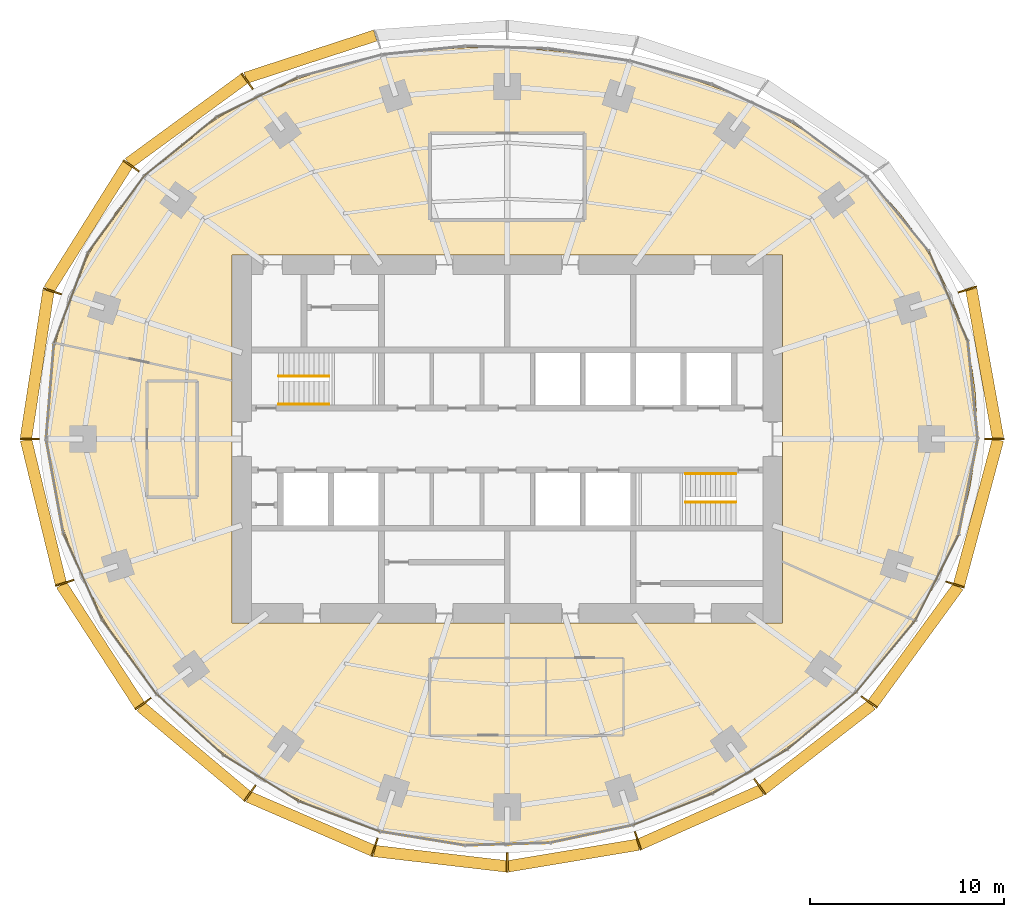
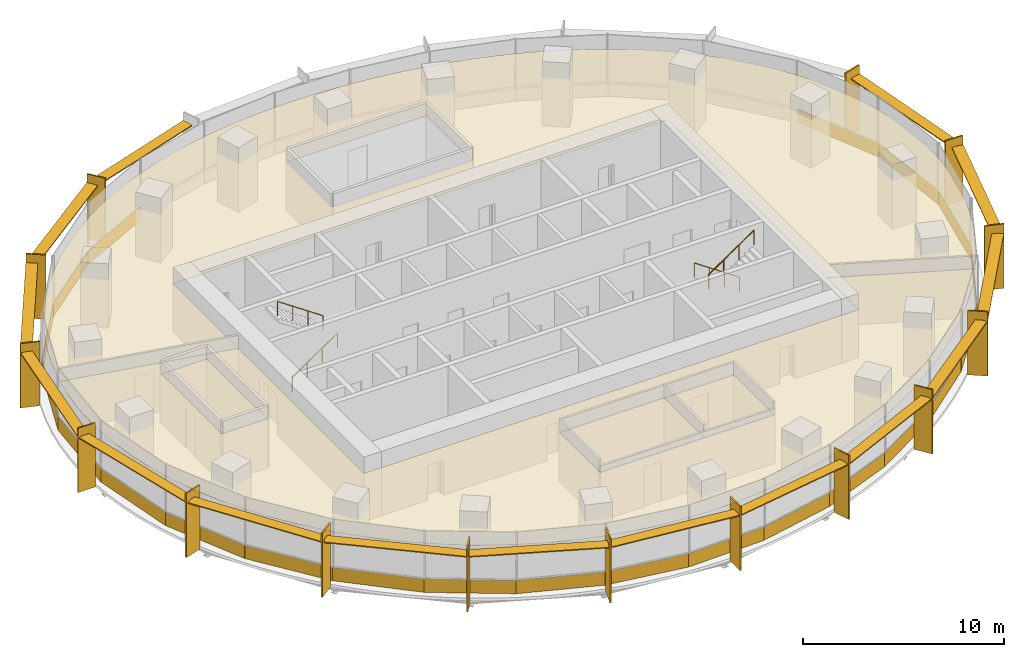
# One storey, part 13 of 14: 30 shading devices, 27 coverings, 4 railings.
"""IFC4 building model written with IfcOpenShell, lengths in metres."""

from ifc_helpers import new_model, si_unit, direction, frame, origin, origin_2d, place, context, subcontext, project, spatial, polyline, rectangle, circle, outline, extrude, material, layer, layer_set, type_object, element, save


model = new_model("IFC4")

# Units and contexts
model_context = context("Model", 3, precision=1e-05, world=origin(), true_north=direction((0.0, 1.0)))
body_context = subcontext(model_context, "Body", "Model", "MODEL_VIEW")
ifc_project = project(units=[si_unit("LENGTHUNIT", "METRE"), si_unit("AREAUNIT", "SQUARE_METRE"), si_unit("VOLUMEUNIT", "CUBIC_METRE"), si_unit("PLANEANGLEUNIT", "RADIAN"), si_unit("MASSUNIT", "GRAM", prefix="KILO")], contexts=[model_context])

# Site, building, storey
site_placement = place(None, origin())
site = spatial("IfcSite", under=ifc_project, at=site_placement, CompositionType="ELEMENT")
building_placement = place(site_placement, origin())
building = spatial("IfcBuilding", under=site, at=building_placement, Name="Marramba Exchange Tower", CompositionType="ELEMENT")
storey_placement = place(building_placement, frame((0.0, 0.0, 215.0)))
storey = spatial("IfcBuildingStorey", under=building, at=storey_placement, Name="L52", CompositionType="ELEMENT", Elevation=215.0)

# Shading devices
ifc_material_1 = material(Name="Aluminium blade, timber-look bronze finish", Category="wood")
ifc_layer_1 = layer(ifc_material_1, 0.080078125)
ifc_layer_set_1 = layer_set([ifc_layer_1], Name="Floor-edge blade 1000x80")
shading_device_type_1 = type_object("IfcShadingDeviceType", Name="Floor-edge blade 1000x80", PredefinedType="USERDEFINED", material=ifc_layer_set_1)
for number, where, z_axis, x_axis, name in (
    (1, (25.14404296875, 0.0, -0.159912109375), (0.0, 0.0, 1.0), (1.0, 0.0, 0.0), "Floor-edge blade FB1 L52 TC01"),
    (2, (23.757080078125, 7.718994140625, -0.159912109375), (0.0, 0.0, 1.0), (0.951056516295, 0.309016994375, 0.0), "Floor-edge blade FB1 L52 TC02"),
    (3, (-13.422607421875, 18.474609375, -0.159912109375), (0.0, 0.0, 1.0), (-0.587785252292, 0.809016994375, 0.0), "Floor-edge blade FB1 L52 TC08"),
    (4, (-19.4140625, 14.105224609375, -0.159912109375), (0.0, 0.0, 1.0), (-0.809016994375, 0.587785252292, 0.0), "Floor-edge blade FB1 L52 TC09"),
    (5, (-23.488525390625, 7.6318359375, -0.159912109375), (0.0, 0.0, 1.0), (-0.951056516295, 0.309016994375, 0.0), "Floor-edge blade FB1 L52 TC10"),
    (6, (-24.656005859375, 0.0, -0.159912109375), (0.0, 0.0, 1.0), (-1.0, 0.0, 0.0), "Floor-edge blade FB1 L52 TC11"),
    (7, (-22.848876953125, -7.424072265625, -0.159912109375), (0.0, 0.0, 1.0), (-0.951056516295, -0.309016994375, 0.0), "Floor-edge blade FB1 L52 TC12"),
    (8, (-18.7998046875, -13.658935546875, -0.159912109375), (0.0, 0.0, 1.0), (-0.809016994375, -0.587785252292, 0.0), "Floor-edge blade FB1 L52 TC13"),
    (9, (-13.2841796875, -18.2841796875, -0.159912109375), (0.0, 0.0, 1.0), (-0.587785252292, -0.809016994375, 0.0), "Floor-edge blade FB1 L52 TC14"),
    (10, (-6.845703125, -21.069091796875, -0.159912109375), (0.0, 0.0, 1.0), (-0.309016994375, -0.951056516295, 0.0), "Floor-edge blade FB1 L52 TC15"),
    (11, (0.0, -21.86376953125, -0.159912109375), (0.0, 0.0, 1.0), (0.0, -1.0, 0.0), "Floor-edge blade FB1 L52 TC16"),
    (12, (6.739501953125, -20.741943359375, -0.159912109375), (0.0, 0.0, 1.0), (0.309016994375, -0.951056516295, 0.0), "Floor-edge blade FB1 L52 TC17"),
    (13, (13.0380859375, -17.9453125, -0.159912109375), (0.0, 0.0, 1.0), (0.587785252292, -0.809016994375, 0.0), "Floor-edge blade FB1 L52 TC18"),
    (14, (18.6845703125, -13.5751953125, -0.159912109375), (0.0, 0.0, 1.0), (0.809016994375, -0.587785252292, 0.0), "Floor-edge blade FB1 L52 TC19"),
    (15, (23.1171875, -7.51123046875, -0.159912109375), (0.0, 0.0, 1.0), (0.951056516295, -0.309016994375, 0.0), "Floor-edge blade FB1 L52 TC20"),
):
    element("IfcShadingDevice", number, at=place(storey_placement, frame(where, z_axis=z_axis, x_axis=x_axis)), inside=storey, type_object=shading_device_type_1, Name=name, ObjectType="FIN", PredefinedType="USERDEFINED", context=body_context, shape_type="SweptSolid", body=[
        extrude(rectangle(XDim=1.0, YDim=0.080078125, at=origin_2d()), origin(), (0.0, 0.0, 1.0), 3.89990234375),
    ])
ifc_material_2 = material(Name="Aluminium sunshade, bronze anodised", Category="aluminium")
ifc_layer_2 = layer(ifc_material_2, 0.06005859375)
ifc_layer_set_2 = layer_set([ifc_layer_2], Name="SUNSHADE blade 600x60")
shading_device_type_2 = type_object("IfcShadingDeviceType", Name="SUNSHADE blade 600x60", PredefinedType="USERDEFINED", material=ifc_layer_set_2)
shading_device_1_placement = place(storey_placement, frame((24.6455078125, 3.890380859375, 3.159912109375), z_axis=(0.0, 0.0, 1.0), x_axis=(-0.176690623809, 0.984266439262, 0.0)))
element("IfcShadingDevice", 16, at=shading_device_1_placement, inside=storey, type_object=shading_device_type_2, Name="Sunshade SS1 L52 bay 01", ObjectType="SUNSHADE", PredefinedType="USERDEFINED", context=body_context, shape_type="SweptSolid", body=[
    extrude(rectangle(XDim=7.8251953125, YDim=0.60009765625, at=origin_2d()), origin(), (0.0, 0.0, 1.0), 0.06005859375),
])
shading_device_2_placement = place(storey_placement, frame((-10.156982421875, 19.741943359375, 3.159912109375), z_axis=(0.0, 0.0, 1.0), x_axis=(-0.950537602937, -0.310609506297, 0.0)))
element("IfcShadingDevice", 17, at=shading_device_2_placement, inside=storey, type_object=shading_device_type_2, Name="Sunshade SS1 L52 bay 07", ObjectType="SUNSHADE", PredefinedType="USERDEFINED", context=body_context, shape_type="SweptSolid", body=[
    extrude(rectangle(XDim=7.03857421875, YDim=0.60009765625, at=origin_2d()), origin(), (0.0, 0.0, 1.0), 0.06005859375),
])
shading_device_3_placement = place(storey_placement, frame((-16.55810546875, 16.4296875, 3.159912109375), z_axis=(0.0, 0.0, 1.0), x_axis=(-0.80719390073, -0.59028637679, 0.0)))
element("IfcShadingDevice", 18, at=shading_device_3_placement, inside=storey, type_object=shading_device_type_2, Name="Sunshade SS1 L52 bay 08", ObjectType="SUNSHADE", PredefinedType="USERDEFINED", context=body_context, shape_type="SweptSolid", body=[
    extrude(rectangle(XDim=7.3974609375, YDim=0.60009765625, at=origin_2d()), origin(), (0.0, 0.0, 1.0), 0.06005859375),
])
shading_device_4_placement = place(storey_placement, frame((-21.62744140625, 10.958251953125, 3.159912109375), z_axis=(0.0, 0.0, 1.0), x_axis=(-0.532082259983, -0.846692664792, 0.0)))
element("IfcShadingDevice", 19, at=shading_device_4_placement, inside=storey, type_object=shading_device_type_2, Name="Sunshade SS1 L52 bay 09", ObjectType="SUNSHADE", PredefinedType="USERDEFINED", context=body_context, shape_type="SweptSolid", body=[
    extrude(rectangle(XDim=7.631103515625, YDim=0.60009765625, at=origin_2d()), origin(), (0.0, 0.0, 1.0), 0.06005859375),
])
shading_device_5_placement = place(storey_placement, frame((-24.267333984375, 3.846923828125, 3.159912109375), z_axis=(0.0, 0.0, 1.0), x_axis=(-0.151240669327, -0.988496970123, 0.0)))
element("IfcShadingDevice", 20, at=shading_device_5_placement, inside=storey, type_object=shading_device_type_2, Name="Sunshade SS1 L52 bay 10", ObjectType="SUNSHADE", PredefinedType="USERDEFINED", context=body_context, shape_type="SweptSolid", body=[
    extrude(rectangle(XDim=7.703369140625, YDim=0.60009765625, at=origin_2d()), origin(), (0.0, 0.0, 1.0), 0.06005859375),
])
shading_device_6_placement = place(storey_placement, frame((-23.947509765625, -3.742919921875, 3.159912109375), z_axis=(0.0, 0.0, 1.0), x_axis=(0.235861488454, -0.971786683519, 0.0)))
element("IfcShadingDevice", 21, at=shading_device_6_placement, inside=storey, type_object=shading_device_type_2, Name="Sunshade SS1 L52 bay 11", ObjectType="SUNSHADE", PredefinedType="USERDEFINED", context=body_context, shape_type="SweptSolid", body=[
    extrude(rectangle(XDim=7.623291015625, YDim=0.60009765625, at=origin_2d()), origin(), (0.0, 0.0, 1.0), 0.06005859375),
])
shading_device_7_placement = place(storey_placement, frame((-21.000244140625, -10.631103515625, 3.159912109375), z_axis=(0.0, 0.0, 1.0), x_axis=(0.543921771105, -0.839135928749, 0.0)))
element("IfcShadingDevice", 22, at=shading_device_7_placement, inside=storey, type_object=shading_device_type_2, Name="Sunshade SS1 L52 bay 12", ObjectType="SUNSHADE", PredefinedType="USERDEFINED", context=body_context, shape_type="SweptSolid", body=[
    extrude(rectangle(XDim=7.41650390625, YDim=0.60009765625, at=origin_2d()), origin(), (0.0, 0.0, 1.0), 0.06005859375),
])
shading_device_8_placement = place(storey_placement, frame((-16.181640625, -16.111083984375, 3.159912109375), z_axis=(0.0, 0.0, 1.0), x_axis=(0.765761970568, -0.643124097225, 0.0)))
element("IfcShadingDevice", 23, at=shading_device_8_placement, inside=storey, type_object=shading_device_type_2, Name="Sunshade SS1 L52 bay 13", ObjectType="SUNSHADE", PredefinedType="USERDEFINED", context=body_context, shape_type="SweptSolid", body=[
    extrude(rectangle(XDim=7.1806640625, YDim=0.60009765625, at=origin_2d()), origin(), (0.0, 0.0, 1.0), 0.06005859375),
])
shading_device_9_placement = place(storey_placement, frame((-10.154541015625, -19.8525390625, 3.159912109375), z_axis=(0.0, 0.0, 1.0), x_axis=(0.917589256742, -0.397529817639, 0.0)))
element("IfcShadingDevice", 24, at=shading_device_9_placement, inside=storey, type_object=shading_device_type_2, Name="Sunshade SS1 L52 bay 14", ObjectType="SUNSHADE", PredefinedType="USERDEFINED", context=body_context, shape_type="SweptSolid", body=[
    extrude(rectangle(XDim=6.997314453125, YDim=0.60009765625, at=origin_2d()), origin(), (0.0, 0.0, 1.0), 0.06005859375),
])
shading_device_10_placement = place(storey_placement, frame((-3.453857421875, -21.66162109375, 3.159912109375), z_axis=(0.0, 0.0, 1.0), x_axis=(0.993288257497, -0.1156651958, 0.0)))
element("IfcShadingDevice", 25, at=shading_device_10_placement, inside=storey, type_object=shading_device_type_2, Name="Sunshade SS1 L52 bay 15", ObjectType="SUNSHADE", PredefinedType="USERDEFINED", context=body_context, shape_type="SweptSolid", body=[
    extrude(rectangle(XDim=6.874267578125, YDim=0.60009765625, at=origin_2d()), origin(), (0.0, 0.0, 1.0), 0.06005859375),
])
shading_device_11_placement = place(storey_placement, frame((3.400634765625, -21.498046875, 3.159912109375), z_axis=(0.0, 0.0, 1.0), x_axis=(0.986439622954, 0.164124557168, 0.0)))
element("IfcShadingDevice", 26, at=shading_device_11_placement, inside=storey, type_object=shading_device_type_2, Name="Sunshade SS1 L52 bay 16", ObjectType="SUNSHADE", PredefinedType="USERDEFINED", context=body_context, shape_type="SweptSolid", body=[
    extrude(rectangle(XDim=6.814697265625, YDim=0.60009765625, at=origin_2d()), origin(), (0.0, 0.0, 1.0), 0.06005859375),
])
shading_device_12_placement = place(storey_placement, frame((9.978515625, -19.519775390625, 3.159912109375), z_axis=(0.0, 0.0, 1.0), x_axis=(0.913771678576, 0.406228161792, 0.0)))
element("IfcShadingDevice", 27, at=shading_device_12_placement, inside=storey, type_object=shading_device_type_2, Name="Sunshade SS1 L52 bay 17", ObjectType="SUNSHADE", PredefinedType="USERDEFINED", context=body_context, shape_type="SweptSolid", body=[
    extrude(rectangle(XDim=6.8740234375, YDim=0.60009765625, at=origin_2d()), origin(), (0.0, 0.0, 1.0), 0.06005859375),
])
shading_device_13_placement = place(storey_placement, frame((16.0009765625, -15.89990234375, 3.159912109375), z_axis=(0.0, 0.0, 1.0), x_axis=(0.790133082515, 0.612935324414, 0.0)))
element("IfcShadingDevice", 28, at=shading_device_13_placement, inside=storey, type_object=shading_device_type_2, Name="Sunshade SS1 L52 bay 18", ObjectType="SUNSHADE", PredefinedType="USERDEFINED", context=body_context, shape_type="SweptSolid", body=[
    extrude(rectangle(XDim=7.122314453125, YDim=0.60009765625, at=origin_2d()), origin(), (0.0, 0.0, 1.0), 0.06005859375),
])
shading_device_14_placement = place(storey_placement, frame((21.076904296875, -10.6328125, 3.159912109375), z_axis=(0.0, 0.0, 1.0), x_axis=(0.589071758439, 0.808080728275, 0.0)))
element("IfcShadingDevice", 29, at=shading_device_14_placement, inside=storey, type_object=shading_device_type_2, Name="Sunshade SS1 L52 bay 19", ObjectType="SUNSHADE", PredefinedType="USERDEFINED", context=body_context, shape_type="SweptSolid", body=[
    extrude(rectangle(XDim=7.4931640625, YDim=0.60009765625, at=origin_2d()), origin(), (0.0, 0.0, 1.0), 0.06005859375),
])
shading_device_15_placement = place(storey_placement, frame((24.32568359375, -3.78662109375, 3.159912109375), z_axis=(0.0, 0.0, 1.0), x_axis=(0.259692365654, 0.965691397508, 0.0)))
element("IfcShadingDevice", 30, at=shading_device_15_placement, inside=storey, type_object=shading_device_type_2, Name="Sunshade SS1 L52 bay 20", ObjectType="SUNSHADE", PredefinedType="USERDEFINED", context=body_context, shape_type="SweptSolid", body=[
    extrude(rectangle(XDim=7.76220703125, YDim=0.60009765625, at=origin_2d()), origin(), (0.0, 0.0, 1.0), 0.06005859375),
])

# Coverings
ifc_material_3 = material(Name="Aluminium spandrel panel, bronze anodised, insulated", Category="aluminium")
ifc_layer_3 = layer(ifc_material_3, 0.050048828125)
ifc_layer_set_3 = layer_set([ifc_layer_3], Name="Spandrel panel 800")
covering_type_1 = type_object("IfcCoveringType", Name="Spandrel panel 800", PredefinedType="CLADDING", material=ifc_layer_set_3)
covering_1_placement = place(storey_placement, frame((24.036376953125, 2.527099609375, 0.0), z_axis=(0.0, 0.0, 1.0), x_axis=(-0.101422478545, 0.994843445395, 0.0)))
element("IfcCovering", 31, at=covering_1_placement, inside=storey, type_object=covering_type_1, Name="Spandrel panel SP1 L52 F01", PredefinedType="CLADDING", context=body_context, shape_type="SweptSolid", body=[
    extrude(rectangle(XDim=5.08056640625, YDim=0.050048828125, at=origin_2d()), origin(), (0.0, 0.0, 1.0), 0.800048828125),
])
covering_2_placement = place(storey_placement, frame((22.77734375, 7.374755859375, 0.0), z_axis=(0.0, 0.0, 1.0), x_axis=(-0.396193349205, 0.918167103552, 0.0)))
element("IfcCovering", 32, at=covering_2_placement, inside=storey, type_object=covering_type_1, Name="Spandrel panel SP1 L52 F02", PredefinedType="CLADDING", context=body_context, shape_type="SweptSolid", body=[
    extrude(rectangle(XDim=5.0546875, YDim=0.050048828125, at=origin_2d()), origin(), (0.0, 0.0, 1.0), 0.800048828125),
])
covering_3_placement = place(storey_placement, frame((-12.88818359375, 17.666748046875, 0.0), z_axis=(0.0, 0.0, 1.0), x_axis=(-0.898500520314, -0.438972453572, 0.0)))
element("IfcCovering", 33, at=covering_3_placement, inside=storey, type_object=covering_type_1, Name="Spandrel panel SP1 L52 F11", PredefinedType="CLADDING", context=body_context, shape_type="SweptSolid", body=[
    extrude(rectangle(XDim=4.667236328125, YDim=0.050048828125, at=origin_2d()), origin(), (0.0, 0.0, 1.0), 0.800048828125),
])
covering_4_placement = place(storey_placement, frame((-16.855712890625, 15.1240234375, 0.0), z_axis=(0.0, 0.0, 1.0), x_axis=(-0.776432169123, -0.630200830491, 0.0)))
element("IfcCovering", 34, at=covering_4_placement, inside=storey, type_object=covering_type_1, Name="Spandrel panel SP1 L52 F12", PredefinedType="CLADDING", context=body_context, shape_type="SweptSolid", body=[
    extrude(rectangle(XDim=4.81884765625, YDim=0.050048828125, at=origin_2d()), origin(), (0.0, 0.0, 1.0), 0.800048828125),
])
covering_5_placement = place(storey_placement, frame((-20.184326171875, 11.62060546875, 0.0), z_axis=(0.0, 0.0, 1.0), x_axis=(-0.591962919465, -0.805965198987, 0.0)))
element("IfcCovering", 35, at=covering_5_placement, inside=storey, type_object=covering_type_1, Name="Spandrel panel SP1 L52 F13", PredefinedType="CLADDING", context=body_context, shape_type="SweptSolid", body=[
    extrude(rectangle(XDim=4.925537109375, YDim=0.050048828125, at=origin_2d()), origin(), (0.0, 0.0, 1.0), 0.800048828125),
])
covering_6_placement = place(storey_placement, frame((-22.518798828125, 7.30419921875, 0.0), z_axis=(0.0, 0.0, 1.0), x_axis=(-0.351951514464, -0.936018232443, 0.0)))
element("IfcCovering", 36, at=covering_6_placement, inside=storey, type_object=covering_type_1, Name="Spandrel panel SP1 L52 F14", PredefinedType="CLADDING", context=body_context, shape_type="SweptSolid", body=[
    extrude(rectangle(XDim=4.981689453125, YDim=0.050048828125, at=origin_2d()), origin(), (0.0, 0.0, 1.0), 0.800048828125),
])
covering_7_placement = place(storey_placement, frame((-23.600830078125, 2.486328125, 0.0), z_axis=(0.0, 0.0, 1.0), x_axis=(-0.082280881776, -0.996609179415, 0.0)))
element("IfcCovering", 37, at=covering_7_placement, inside=storey, type_object=covering_type_1, Name="Spandrel panel SP1 L52 F15", PredefinedType="CLADDING", context=body_context, shape_type="SweptSolid", body=[
    extrude(rectangle(XDim=4.98974609375, YDim=0.050048828125, at=origin_2d()), origin(), (0.0, 0.0, 1.0), 0.800048828125),
])
covering_8_placement = place(storey_placement, frame((-23.359619140625, -2.43505859375, 0.0), z_axis=(0.0, 0.0, 1.0), x_axis=(0.180327442841, -0.983606635479, 0.0)))
element("IfcCovering", 38, at=covering_8_placement, inside=storey, type_object=covering_type_1, Name="Spandrel panel SP1 L52 F16", PredefinedType="CLADDING", context=body_context, shape_type="SweptSolid", body=[
    extrude(rectangle(XDim=4.951416015625, YDim=0.050048828125, at=origin_2d()), origin(), (0.0, 0.0, 1.0), 0.800048828125),
])
covering_9_placement = place(storey_placement, frame((-21.920654296875, -7.093994140625, 0.0), z_axis=(0.0, 0.0, 1.0), x_axis=(0.407557582153, -0.913179509861, 0.0)))
element("IfcCovering", 39, at=covering_9_placement, inside=storey, type_object=covering_type_1, Name="Spandrel panel SP1 L52 F17", PredefinedType="CLADDING", context=body_context, shape_type="SweptSolid", body=[
    extrude(rectangle(XDim=4.870361328125, YDim=0.050048828125, at=origin_2d()), origin(), (0.0, 0.0, 1.0), 0.800048828125),
])
covering_10_placement = place(storey_placement, frame((-19.520263671875, -11.238525390625, 0.0), z_axis=(0.0, 0.0, 1.0), x_axis=(0.591223097085, -0.80650805915, 0.0)))
element("IfcCovering", 40, at=covering_10_placement, inside=storey, type_object=covering_type_1, Name="Spandrel panel SP1 L52 F18", PredefinedType="CLADDING", context=body_context, shape_type="SweptSolid", body=[
    extrude(rectangle(XDim=4.762939453125, YDim=0.050048828125, at=origin_2d()), origin(), (0.0, 0.0, 1.0), 0.800048828125),
])
covering_11_placement = place(storey_placement, frame((-16.396240234375, -14.73193359375, 0.0), z_axis=(0.0, 0.0, 1.0), x_axis=(0.737203259599, -0.67567103981, 0.0)))
element("IfcCovering", 41, at=covering_11_placement, inside=storey, type_object=covering_type_1, Name="Spandrel panel SP1 L52 F19", PredefinedType="CLADDING", context=body_context, shape_type="SweptSolid", body=[
    extrude(rectangle(XDim=4.65478515625, YDim=0.050048828125, at=origin_2d()), origin(), (0.0, 0.0, 1.0), 0.800048828125),
])
covering_12_placement = place(storey_placement, frame((-12.73583984375, -17.497802734375, 0.0), z_axis=(0.0, 0.0, 1.0), x_axis=(0.852301010692, -0.52305161043, 0.0)))
element("IfcCovering", 42, at=covering_12_placement, inside=storey, type_object=covering_type_1, Name="Spandrel panel SP1 L52 F20", PredefinedType="CLADDING", context=body_context, shape_type="SweptSolid", body=[
    extrude(rectangle(XDim=4.563232421875, YDim=0.050048828125, at=origin_2d()), origin(), (0.0, 0.0, 1.0), 0.800048828125),
])
covering_13_placement = place(storey_placement, frame((-8.687255859375, -19.47607421875, 0.0), z_axis=(0.0, 0.0, 1.0), x_axis=(0.936951581946, -0.349459200892, 0.0)))
element("IfcCovering", 43, at=covering_13_placement, inside=storey, type_object=covering_type_1, Name="Spandrel panel SP1 L52 F21", PredefinedType="CLADDING", context=body_context, shape_type="SweptSolid", body=[
    extrude(rectangle(XDim=4.491455078125, YDim=0.050048828125, at=origin_2d()), origin(), (0.0, 0.0, 1.0), 0.800048828125),
])
covering_14_placement = place(storey_placement, frame((-4.393798828125, -20.6181640625, 0.0), z_axis=(0.0, 0.0, 1.0), x_axis=(0.98693062179, -0.161145734582, 0.0)))
element("IfcCovering", 44, at=covering_14_placement, inside=storey, type_object=covering_type_1, Name="Spandrel panel SP1 L52 F22", PredefinedType="CLADDING", context=body_context, shape_type="SweptSolid", body=[
    extrude(rectangle(XDim=4.4365234375, YDim=0.050048828125, at=origin_2d()), origin(), (0.0, 0.0, 1.0), 0.800048828125),
])
covering_15_placement = place(storey_placement, frame((-0.0068359375, -20.9111328125, 0.0), z_axis=(0.0, 0.0, 1.0), x_axis=(0.99956791932, 0.02939344597, 0.0)))
element("IfcCovering", 45, at=covering_15_placement, inside=storey, type_object=covering_type_1, Name="Spandrel panel SP1 L52 F23", PredefinedType="CLADDING", context=body_context, shape_type="SweptSolid", body=[
    extrude(rectangle(XDim=4.3974609375, YDim=0.050048828125, at=origin_2d()), origin(), (0.0, 0.0, 1.0), 0.800048828125),
])
covering_16_placement = place(storey_placement, frame((4.333984375, -20.389892578125, 0.0), z_axis=(0.0, 0.0, 1.0), x_axis=(0.978058068956, 0.208332459664, 0.0)))
element("IfcCovering", 46, at=covering_16_placement, inside=storey, type_object=covering_type_1, Name="Spandrel panel SP1 L52 F24", PredefinedType="CLADDING", context=body_context, shape_type="SweptSolid", body=[
    extrude(rectangle(XDim=4.3818359375, YDim=0.050048828125, at=origin_2d()), origin(), (0.0, 0.0, 1.0), 0.800048828125),
])
covering_17_placement = place(storey_placement, frame((8.525390625, -19.124267578125, 0.0), z_axis=(0.0, 0.0, 1.0), x_axis=(0.93007301151, 0.367374731386, 0.0)))
element("IfcCovering", 47, at=covering_17_placement, inside=storey, type_object=covering_type_1, Name="Spandrel panel SP1 L52 F25", PredefinedType="CLADDING", context=body_context, shape_type="SweptSolid", body=[
    extrude(rectangle(XDim=4.405517578125, YDim=0.050048828125, at=origin_2d()), origin(), (0.0, 0.0, 1.0), 0.800048828125),
])
covering_18_placement = place(storey_placement, frame((12.50634765625, -17.175537109375, 0.0), z_axis=(0.0, 0.0, 1.0), x_axis=(0.861350829898, 0.508010578466, 0.0)))
element("IfcCovering", 48, at=covering_18_placement, inside=storey, type_object=covering_type_1, Name="Spandrel panel SP1 L52 F26", PredefinedType="CLADDING", context=body_context, shape_type="SweptSolid", body=[
    extrude(rectangle(XDim=4.486572265625, YDim=0.050048828125, at=origin_2d()), origin(), (0.0, 0.0, 1.0), 0.800048828125),
])
covering_19_placement = place(storey_placement, frame((16.2177734375, -14.5556640625, 0.0), z_axis=(0.0, 0.0, 1.0), x_axis=(0.768736803132, 0.639565264465, 0.0)))
element("IfcCovering", 49, at=covering_19_placement, inside=storey, type_object=covering_type_1, Name="Spandrel panel SP1 L52 F27", PredefinedType="CLADDING", context=body_context, shape_type="SweptSolid", body=[
    extrude(rectangle(XDim=4.628662109375, YDim=0.050048828125, at=origin_2d()), origin(), (0.0, 0.0, 1.0), 0.800048828125),
])
covering_20_placement = place(storey_placement, frame((19.529541015625, -11.2265625, 0.0), z_axis=(0.0, 0.0, 1.0), x_axis=(0.638149992226, 0.769912064733, 0.0)))
element("IfcCovering", 50, at=covering_20_placement, inside=storey, type_object=covering_type_1, Name="Spandrel panel SP1 L52 F28", PredefinedType="CLADDING", context=body_context, shape_type="SweptSolid", body=[
    extrude(rectangle(XDim=4.80322265625, YDim=0.050048828125, at=origin_2d()), origin(), (0.0, 0.0, 1.0), 0.800048828125),
])
covering_21_placement = place(storey_placement, frame((22.17919921875, -7.16455078125, 0.0), z_axis=(0.0, 0.0, 1.0), x_axis=(0.450673091404, 0.892689063832, 0.0)))
element("IfcCovering", 51, at=covering_21_placement, inside=storey, type_object=covering_type_1, Name="Spandrel panel SP1 L52 F29", PredefinedType="CLADDING", context=body_context, shape_type="SweptSolid", body=[
    extrude(rectangle(XDim=4.957763671875, YDim=0.050048828125, at=origin_2d()), origin(), (0.0, 0.0, 1.0), 0.800048828125),
])
covering_22_placement = place(storey_placement, frame((23.795166015625, -2.475830078125, 0.0), z_axis=(0.0, 0.0, 1.0), x_axis=(0.197495401381, 0.980303813332, 0.0)))
element("IfcCovering", 52, at=covering_22_placement, inside=storey, type_object=covering_type_1, Name="Spandrel panel SP1 L52 F30", PredefinedType="CLADDING", context=body_context, shape_type="SweptSolid", body=[
    extrude(rectangle(XDim=5.05126953125, YDim=0.050048828125, at=origin_2d()), origin(), (0.0, 0.0, 1.0), 0.800048828125),
])

# Railings
ifc_material_4 = material(Name="Stainless steel handrail", Category="steel")
railing_type = type_object("IfcRailingType", Name="Stair handrail 900", PredefinedType="HANDRAIL", material=ifc_material_4)
railing_1_placement = place(storey_placement, frame((-11.800048828125, 1.800048828125, 0.17724609375)))
element("IfcRailing", 53, at=railing_1_placement, inside=storey, type_object=railing_type, Name="Handrail HR1 ST1 L52 flight 1", PredefinedType="HANDRAIL", context=body_context, shape_type="SweptSolid", body=[
    extrude(circle(Radius=0.02392578125, at=origin_2d()), frame((0.0, 0.0, 0.8759765625), z_axis=(0.826240473404, 0.0, 0.563317565952), x_axis=(0.0, 1.0, 0.0)), (0.0, 0.0, 1.0), 3.14697265625),
    extrude(circle(Radius=0.02099609375, at=origin_2d()), origin(), (0.0, 0.0, 1.0), 0.851806640625),
    extrude(circle(Radius=0.02099609375, at=origin_2d()), frame((0.86669921875, 0.0, 0.5908203125)), (0.0, 0.0, 1.0), 0.851806640625),
    extrude(circle(Radius=0.02099609375, at=origin_2d()), frame((1.7333984375, 0.0, 1.181884765625)), (0.0, 0.0, 1.0), 0.851806640625),
    extrude(circle(Radius=0.02099609375, at=origin_2d()), frame((2.60009765625, 0.0, 1.772705078125)), (0.0, 0.0, 1.0), 0.851806640625),
])
for number, where, name in (
    (54, (-9.199951171875, 3.25, 2.127197265625), "Handrail HR1 ST1 L52 flight 2"),
    (55, (11.800048828125, -1.800048828125, 0.17724609375), "Handrail HR1 ST2 L52 flight 1"),
):
    element("IfcRailing", number, at=place(storey_placement, frame(where)), inside=storey, type_object=railing_type, Name=name, PredefinedType="HANDRAIL", context=body_context, shape_type="SweptSolid", body=[
        extrude(circle(Radius=0.02392578125, at=origin_2d()), frame((0.0, 0.0, 0.8759765625), z_axis=(-0.826240473404, 0.0, 0.563317565952), x_axis=(0.0, -1.0, 0.0)), (0.0, 0.0, 1.0), 3.14697265625),
        extrude(circle(Radius=0.02099609375, at=origin_2d()), origin(), (0.0, 0.0, 1.0), 0.851806640625),
        extrude(circle(Radius=0.02099609375, at=origin_2d()), frame((-0.86669921875, 0.0, 0.5908203125)), (0.0, 0.0, 1.0), 0.851806640625),
        extrude(circle(Radius=0.02099609375, at=origin_2d()), frame((-1.7333984375, 0.0, 1.181884765625)), (0.0, 0.0, 1.0), 0.851806640625),
        extrude(circle(Radius=0.02099609375, at=origin_2d()), frame((-2.60009765625, 0.0, 1.772705078125)), (0.0, 0.0, 1.0), 0.851806640625),
    ])
railing_2_placement = place(storey_placement, frame((9.199951171875, -3.25, 2.127197265625)))
element("IfcRailing", 56, at=railing_2_placement, inside=storey, type_object=railing_type, Name="Handrail HR1 ST2 L52 flight 2", PredefinedType="HANDRAIL", context=body_context, shape_type="SweptSolid", body=[
    extrude(circle(Radius=0.02392578125, at=origin_2d()), frame((0.0, 0.0, 0.8759765625), z_axis=(0.826240473404, 0.0, 0.563317565952), x_axis=(0.0, 1.0, 0.0)), (0.0, 0.0, 1.0), 3.14697265625),
    extrude(circle(Radius=0.02099609375, at=origin_2d()), origin(), (0.0, 0.0, 1.0), 0.851806640625),
    extrude(circle(Radius=0.02099609375, at=origin_2d()), frame((0.86669921875, 0.0, 0.5908203125)), (0.0, 0.0, 1.0), 0.851806640625),
    extrude(circle(Radius=0.02099609375, at=origin_2d()), frame((1.7333984375, 0.0, 1.181884765625)), (0.0, 0.0, 1.0), 0.851806640625),
    extrude(circle(Radius=0.02099609375, at=origin_2d()), frame((2.60009765625, 0.0, 1.772705078125)), (0.0, 0.0, 1.0), 0.851806640625),
])

# Coverings
ifc_material_5 = material(Name="Mineral fibre ceiling tiles", Category="gypsum")
ifc_layer_4 = layer(ifc_material_5, 0.02001953125)
ifc_layer_set_4 = layer_set([ifc_layer_4], Name="Suspended ceiling 20")
covering_type_2 = type_object("IfcCoveringType", Name="Suspended ceiling 20", PredefinedType="CEILING", material=ifc_layer_set_4)
covering_23_placement = place(storey_placement, frame((0.0, 0.0, 2.89990234375)))
element("IfcCovering", 57, at=covering_23_placement, inside=storey, type_object=covering_type_2, Name="Ceiling CL1 L52 Research Analyst Office", PredefinedType="CEILING", context=body_context, shape_type="SweptSolid", body=[
    extrude(outline(polyline([(-14.199951171875, 9.5), (-14.199951171875, 3.018310546875), (-23.317138671875, 4.956298828125), (-23.002197265625, 6.163330078125), (-22.604248046875, 7.344482421875), (-22.125244140625, 8.4931640625), (-21.569091796875, 9.603271484375), (-20.939697265625, 10.669189453125), (-20.24169921875, 11.6865234375), (-19.48046875, 12.650634765625), (-18.66162109375, 13.55859375), (-17.79150390625, 14.4072265625), (-16.87548828125, 15.19482421875), (-15.920166015625, 15.920166015625), (-14.931396484375, 16.5830078125), (-13.914794921875, 17.183349609375), (-12.8759765625, 17.722412109375), (-11.820068359375, 18.201171875), (-10.75146484375, 18.621826171875), (-9.67431640625, 18.98681640625), (-8.59228515625, 19.29833984375), (-7.50830078125, 19.559326171875), (-6.424560546875, 19.77294921875), (-5.34326171875, 19.941650390625), (-4.265625, 20.068603515625), (-3.1923828125, 20.15625), (-2.123779296875, 20.20703125), (-1.059814453125, 20.22314453125), (0.0, 20.206298828125), (1.056396484375, 20.15771484375), (2.1103515625, 20.077880859375), (3.16259765625, 19.96728515625), (4.214111328125, 19.82568359375), (5.265869140625, 19.65234375), (6.318359375, 19.445556640625), (7.371826171875, 19.2041015625), (8.426025390625, 18.92529296875), (9.480712890625, 18.60693359375), (10.5341796875, 18.245849609375), (11.584716796875, 17.839111328125), (12.6298828125, 17.383544921875), (13.666259765625, 16.87646484375), (14.689453125, 16.314453125), (15.695068359375, 15.695068359375), (16.67724609375, 15.016357421875), (17.6298828125, 14.276611328125), (18.54638671875, 13.474853515625), (19.41943359375, 12.611083984375), (20.24169921875, 11.6865234375), (21.00537109375, 10.70263671875), (21.702880859375, 9.662841796875), (22.32763671875, 8.57080078125), (22.87255859375, 7.431640625), (23.331787109375, 6.251708984375), (23.700439453125, 5.03759765625), (23.974853515625, 3.797119140625), (24.15234375, 2.53857421875), (24.23193359375, 1.27001953125), (24.214111328125, 0.0), (24.10009765625, -1.262939453125), (23.89306640625, -2.51123046875), (23.597412109375, -3.737548828125), (23.218017578125, -4.935302734375), (22.760986328125, -6.098876953125), (22.23291015625, -7.223876953125), (21.639892578125, -8.306884765625), (20.989013671875, -9.344970703125), (14.199951171875, -6.322265625), (14.199951171875, 9.5), (-14.199951171875, 9.5)]), holes=[polyline([(4.0, 15.800048828125), (-4.0, 15.800048828125), (-4.0, 11.300048828125), (4.0, 11.300048828125), (4.0, 15.800048828125)])]), origin(), (0.0, 0.0, 1.0), 0.02001953125),
])
covering_24_placement = place(storey_placement, frame((0.0, 0.0, 2.89990234375)))
element("IfcCovering", 58, at=covering_24_placement, inside=storey, type_object=covering_type_2, Name="Ceiling CL1 L52 Portfolio Office", PredefinedType="CEILING", context=body_context, shape_type="SweptSolid", body=[
    extrude(outline(polyline([(19.539794921875, -11.28125), (18.753173828125, -12.178466796875), (17.93212890625, -13.028564453125), (17.08154296875, -13.832275390625), (16.204833984375, -14.5908203125), (15.30517578125, -15.30517578125), (14.38525390625, -15.976318359375), (13.44677734375, -16.60546875), (12.491455078125, -17.193115234375), (11.520263671875, -17.73974609375), (10.5341796875, -18.245849609375), (9.53369140625, -18.711181640625), (8.51953125, -19.13525390625), (7.4921875, -19.517578125), (6.4521484375, -19.857421875), (5.400146484375, -20.153564453125), (4.337158203125, -20.404541015625), (3.26416015625, -20.609619140625), (2.1826171875, -20.766845703125), (1.093994140625, -20.875244140625), (0.0, -20.93359375), (-1.097412109375, -20.94091796875), (-2.1962890625, -20.89599609375), (-3.294189453125, -20.79833984375), (-4.388916015625, -20.6474609375), (-5.477783203125, -20.44287109375), (-6.558349609375, -20.184814453125), (-7.62841796875, -19.873046875), (-8.685546875, -19.50830078125), (-9.727294921875, -19.091064453125), (-10.75146484375, -18.621826171875), (-11.755615234375, -18.101806640625), (-12.737548828125, -17.53173828125), (-13.6953125, -16.912353515625), (-14.626953125, -16.2451171875), (-15.5302734375, -15.5302734375), (-16.403076171875, -14.769287109375), (-17.242919921875, -13.962890625), (-18.04736328125, -13.1123046875), (-18.81396484375, -12.218017578125), (-19.539794921875, -11.28125), (-20.22119140625, -10.30322265625), (-20.85498046875, -9.285400390625), (-21.4375, -8.22900390625), (-21.96435546875, -7.13671875), (-22.431640625, -6.010498046875), (-22.8349609375, -4.853759765625), (-23.169921875, -3.669677734375), (-23.432373046875, -2.462890625), (-23.618896484375, -1.23779296875), (-23.72607421875, 0.0), (-23.7509765625, 1.24462890625), (-23.691650390625, 2.489990234375), (-23.547119140625, 3.7294921875), (-23.317138671875, 4.956298828125), (-14.199951171875, 3.018310546875), (-14.199951171875, -9.5), (14.199951171875, -9.5), (14.199951171875, -6.322265625), (20.989013671875, -9.344970703125), (20.286865234375, -10.336669921875), (19.539794921875, -11.28125)]), holes=[polyline([(2.0, -15.300048828125), (6.0, -15.300048828125), (6.0, -11.300048828125), (2.0, -11.300048828125), (-4.0, -11.300048828125), (-4.0, -15.300048828125), (2.0, -15.300048828125)]), polyline([(-18.60009765625, -3.0), (-16.0, -3.0), (-16.0, 3.0), (-18.60009765625, 3.0), (-18.60009765625, -3.0)])]), origin(), (0.0, 0.0, 1.0), 0.02001953125),
])
covering_25_placement = place(storey_placement, frame((0.0, 0.0, 2.89990234375)))
element("IfcCovering", 59, at=covering_25_placement, inside=storey, type_object=covering_type_2, Name="Ceiling CL1 L52 Pantry", PredefinedType="CEILING", context=body_context, shape_type="SweptSolid", body=[
    extrude(outline(polyline([(2.0, -15.300048828125), (-4.0, -15.300048828125), (-4.0, -11.300048828125), (2.0, -11.300048828125), (2.0, -15.300048828125)])), origin(), (0.0, 0.0, 1.0), 0.02001953125),
])
covering_26_placement = place(storey_placement, frame((0.0, 0.0, 2.89990234375)))
element("IfcCovering", 60, at=covering_26_placement, inside=storey, type_object=covering_type_2, Name="Ceiling CL1 L52 Print Room 1", PredefinedType="CEILING", context=body_context, shape_type="SweptSolid", body=[
    extrude(outline(polyline([(6.0, -15.300048828125), (2.0, -15.300048828125), (2.0, -11.300048828125), (6.0, -11.300048828125), (6.0, -15.300048828125)])), origin(), (0.0, 0.0, 1.0), 0.02001953125),
])
covering_27_placement = place(storey_placement, frame((0.0, 0.0, 2.89990234375)))
element("IfcCovering", 61, at=covering_27_placement, inside=storey, type_object=covering_type_2, Name="Ceiling CL1 L52 Quiet Room", PredefinedType="CEILING", context=body_context, shape_type="SweptSolid", body=[
    extrude(outline(polyline([(-16.0, -3.0), (-18.60009765625, -3.0), (-18.60009765625, 3.0), (-16.0, 3.0), (-16.0, -3.0)])), origin(), (0.0, 0.0, 1.0), 0.02001953125),
])

save(model, "model.ifc")
